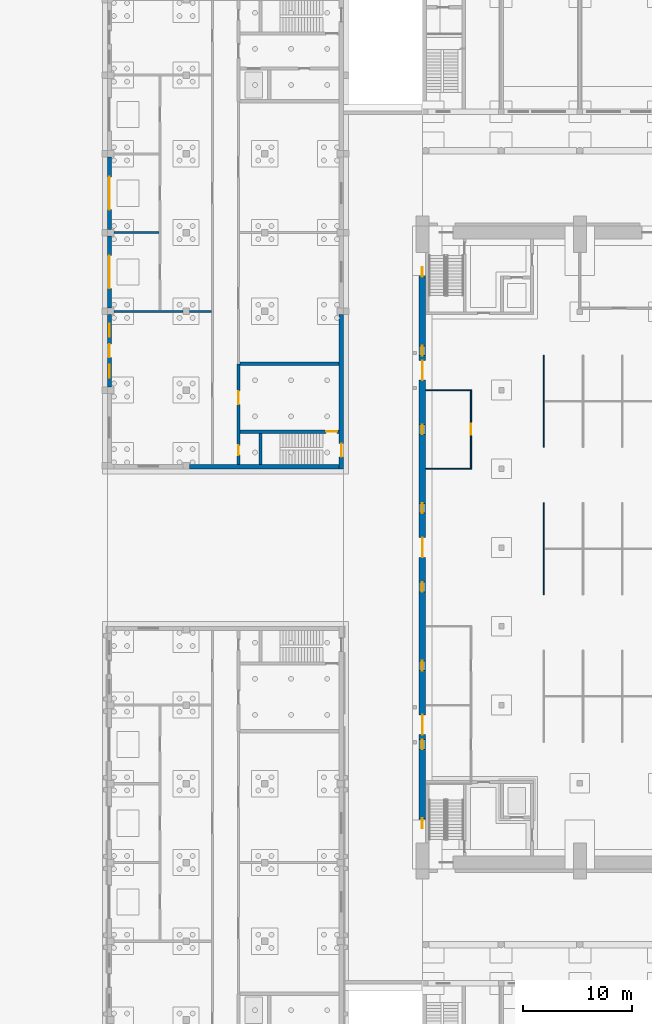
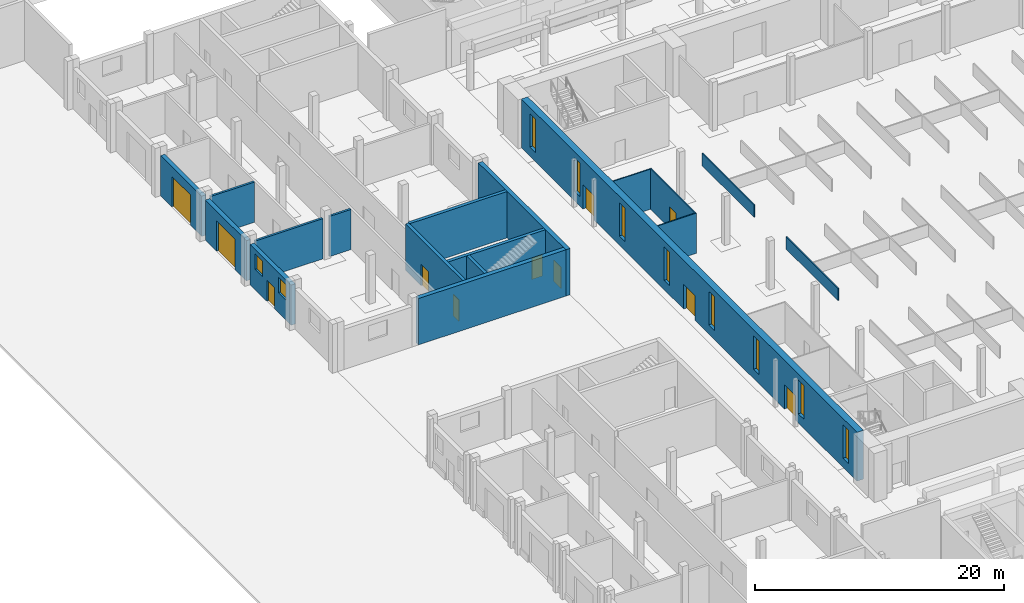
# One storey, part 38 of 73: 18 walls, 11 doors, 10 windows, 21 openings.
"""IFC4 building model written with IfcOpenShell, lengths in metres."""

import ifcopenshell
import ifcopenshell.guid

model = None  # the IFC model being written
_history = None  # IfcOwnerHistory: only IFC2X3 demands one
_inside = {}  # id of a spatial element -> (the spatial element, [elements in it])
_under = {}  # id of a project, library or spatial element -> (it, [spatial elements below it])
_declared = {}  # id of a project -> (the project, [libraries it declares])
_typed = {}  # id of a type object -> (the type object, [elements of that type])
_made_of = {}  # id of a material, layer set ... -> (it, [elements and type objects made of it])


def new_model(schema):
    """Start an empty IFC model of exactly this schema.

    Asked for "IFC4X3", IfcOpenShell would pick the latest addendum, in which some entities
    have other attributes; the version numbers below select the first issue.
    IFC2X3 requires an IfcOwnerHistory on every rooted entity: one is made here for all.
    """
    global model, _history
    if schema == "IFC4X3":
        model = ifcopenshell.file(schema_version=(4, 3, 0, 0))
    else:
        model = ifcopenshell.file(schema=schema)
    _inside.clear()
    _under.clear()
    _declared.clear()
    _typed.clear()
    _made_of.clear()
    _history = None
    if model.schema == "IFC2X3":
        org = make("IfcOrganization", Name="unknown")
        user = make(
            "IfcPersonAndOrganization",
            ThePerson=make("IfcPerson", FamilyName="unknown"),
            TheOrganization=org,
        )
        app = make(
            "IfcApplication",
            ApplicationDeveloper=org,
            Version="unknown",
            ApplicationFullName="unknown",
            ApplicationIdentifier="unknown",
        )
        _history = make(
            "IfcOwnerHistory",
            OwningUser=user,
            OwningApplication=app,
            ChangeAction="ADDED",
            CreationDate=0,
        )
    return model


def make(cls, **values):
    """One entity of the class cls with the attributes given. An attribute that is None is left unset."""
    return model.create_entity(
        cls, **{name: value for name, value in values.items() if value is not None}
    )


def rooted(cls, **values):
    """An entity with a GlobalId (a new one), such as an element, a storey or a relation."""
    return make(cls, GlobalId=ifcopenshell.guid.new(), OwnerHistory=_history, **values)


def si_unit(unit_type, name, prefix=None):
    """IfcSIUnit, for example si_unit("LENGTHUNIT", "METRE", prefix="MILLI")."""
    return make("IfcSIUnit", UnitType=unit_type, Prefix=prefix, Name=name)


def assignment(units):
    """IfcUnitAssignment: the units of a project."""
    return None if units is None else make("IfcUnitAssignment", Units=units)


def point(xyz):
    """IfcCartesianPoint."""
    return None if xyz is None else make("IfcCartesianPoint", Coordinates=xyz)


def direction(xyz):
    """IfcDirection."""
    return None if xyz is None else make("IfcDirection", DirectionRatios=xyz)


def frame(location, z_axis=None, x_axis=None):
    """IfcAxis2Placement3D, a coordinate frame: its origin and axes. An axis left out is left unset."""
    return make(
        "IfcAxis2Placement3D",
        Location=point(location),
        Axis=direction(z_axis),
        RefDirection=direction(x_axis),
    )


def frame_2d(location, x_axis=None):
    """IfcAxis2Placement2D, a coordinate frame in the plane: its origin and x axis."""
    return make(
        "IfcAxis2Placement2D", Location=point(location), RefDirection=direction(x_axis)
    )


def origin():
    """The frame at (0, 0, 0) with its axes left unset."""
    return frame((0.0, 0.0, 0.0))


def place(relative_to, where):
    """IfcLocalPlacement: puts the frame where relative to a parent placement (None: the world)."""
    return make(
        "IfcLocalPlacement", PlacementRelTo=relative_to, RelativePlacement=where
    )


def context(
    kind, dimensions, precision=None, world=None, true_north=None, identifier=None
):
    """IfcGeometricRepresentationContext, for example the 3D "Model" context."""
    return make(
        "IfcGeometricRepresentationContext",
        ContextIdentifier=identifier,
        ContextType=kind,
        CoordinateSpaceDimension=dimensions,
        Precision=precision,
        WorldCoordinateSystem=world,
        TrueNorth=true_north,
    )


def subcontext(parent, identifier, kind, view, scale=None):
    """IfcGeometricRepresentationSubContext, for example "Body" below "Model"."""
    return make(
        "IfcGeometricRepresentationSubContext",
        ContextIdentifier=identifier,
        ContextType=kind,
        ParentContext=parent,
        TargetScale=scale,
        TargetView=view,
    )


def project(units=None, contexts=None):
    """IfcProject with its units and contexts."""
    return rooted(
        "IfcProject",
        Name="project",
        RepresentationContexts=contexts,
        UnitsInContext=assignment(units),
    )


def spatial(cls, under=None, at=None, **own):
    """A site, building, storey or space (cls), placed at a placement, below another one or the project."""
    s = rooted(cls, ObjectPlacement=at, **own)
    if under is not None:
        _under.setdefault(under.id(), (under, []))[1].append(s)
    return s


def profile(cls, at=None, kind="AREA", **sizes):
    """A parametric profile (cls). Its sizes go by their IFC names, for example OverallWidth=200.0."""
    return make(cls, ProfileType=kind, Position=at, **sizes)


def rectangle(**sizes):
    """IfcRectangleProfileDef."""
    return profile("IfcRectangleProfileDef", **sizes)


def extrude(swept, where, along, depth):
    """IfcExtrudedAreaSolid: the profile swept, set in the frame where, extruded along a direction by depth."""
    return make(
        "IfcExtrudedAreaSolid",
        SweptArea=swept,
        Position=where,
        ExtrudedDirection=direction(along),
        Depth=depth,
    )


def shape(context_of_items, identifier, shape_type, items):
    """IfcShapeRepresentation: the items that make up one representation, for example the "Body"."""
    return make(
        "IfcShapeRepresentation",
        ContextOfItems=context_of_items,
        RepresentationIdentifier=identifier,
        RepresentationType=shape_type,
        Items=items,
    )


def material(Name=None, Category=None):
    """IfcMaterial."""
    return make("IfcMaterial", Name=Name, Category=Category)


def layer(
    of_material, thickness, ventilated=None, Name=None, Category=None, Priority=None
):
    """IfcMaterialLayer: one layer of a wall or slab, of a material (None: an air gap)."""
    return make(
        "IfcMaterialLayer",
        Material=of_material,
        LayerThickness=thickness,
        IsVentilated=ventilated,
        Name=Name,
        Category=Category,
        Priority=Priority,
    )


def layer_set(layers, Name=None):
    """IfcMaterialLayerSet."""
    return make("IfcMaterialLayerSet", MaterialLayers=layers, LayerSetName=Name)


def made_of(thing, what):
    """Note that an element or type object is made of a material, layer set ...; save() writes the relation."""
    if what is not None:
        _made_of.setdefault(what.id(), (what, []))[1].append(thing)
    return thing


def type_object(cls, material=None, **own):
    """A type object (cls), such as IfcWallType, which elements share."""
    return made_of(rooted(cls, **own), material)


def element(
    cls,
    number,
    at=None,
    inside=None,
    cuts=None,
    type_object=None,
    material=None,
    context=None,
    identifier="Body",
    shape_type=None,
    held_by="IfcProductDefinitionShape",
    body=None,
    shapes=None,
    **own,
):
    """One element of the class cls, such as IfcWall. Its Tag is "e" and its number.

    at: its placement. inside: the storey or other place that contains it. cuts: it is an
    opening in that element (IfcRelVoidsElement). A single representation is given by context,
    identifier, shape_type and body (its items); several are given by shapes. held_by: the class
    of the entity that holds the representations. save() writes the other relations.
    """
    e = rooted(cls, Tag="e%d" % number, ObjectPlacement=at, **own)
    if body is not None:
        shapes = [shape(context, identifier, shape_type, body)]
    if shapes is not None:
        e.Representation = make(held_by, Representations=shapes)
    if inside is not None:
        _inside.setdefault(inside.id(), (inside, []))[1].append(e)
    if cuts is not None:
        rooted(
            "IfcRelVoidsElement", RelatingBuildingElement=cuts, RelatedOpeningElement=e
        )
    if type_object is not None:
        _typed.setdefault(type_object.id(), (type_object, []))[1].append(e)
    return made_of(e, material)


def fill(opening, filler):
    """IfcRelFillsElement: the door or window that sits in an opening."""
    return rooted(
        "IfcRelFillsElement",
        RelatingOpeningElement=opening,
        RelatedBuildingElement=filler,
    )


def aggregate(whole, parts):
    """IfcRelAggregates: a whole, such as a stair, and the parts it consists of."""
    return rooted("IfcRelAggregates", RelatingObject=whole, RelatedObjects=parts)


def save(model, path):
    """Write the relations noted so far, then the file.

    IfcRelAggregates (storeys below a building ...), IfcRelContainedInSpatialStructure (elements
    in a storey), IfcRelDefinesByType, IfcRelAssociatesMaterial and IfcRelDeclares: one each for
    every whole, place, type object, material and project.
    """
    for whole, parts in _under.values():
        aggregate(whole, parts)
    for where, things in _inside.values():
        rooted(
            "IfcRelContainedInSpatialStructure",
            RelatedElements=things,
            RelatingStructure=where,
        )
    for kind, things in _typed.values():
        rooted("IfcRelDefinesByType", RelatedObjects=things, RelatingType=kind)
    for what, things in _made_of.values():
        rooted("IfcRelAssociatesMaterial", RelatedObjects=things, RelatingMaterial=what)
    for by, libraries in _declared.values():
        rooted("IfcRelDeclares", RelatingContext=by, RelatedDefinitions=libraries)
    model.write(path)


model = new_model("IFC4")

# Units and contexts
model_context = context("Model", 3, precision=1e-05, world=origin(), true_north=direction((0.0, 1.0)))
body_context = subcontext(model_context, "Body", "Model", "MODEL_VIEW")
ifc_project = project(units=[si_unit("LENGTHUNIT", "METRE"), si_unit("AREAUNIT", "SQUARE_METRE"), si_unit("VOLUMEUNIT", "CUBIC_METRE"), si_unit("PLANEANGLEUNIT", "RADIAN"), si_unit("MASSUNIT", "GRAM", prefix="KILO")], contexts=[model_context])

# Site, building, storey
site_placement = place(None, origin())
site = spatial("IfcSite", under=ifc_project, at=site_placement, CompositionType="ELEMENT")
building_placement = place(site_placement, origin())
building = spatial("IfcBuilding", under=site, at=building_placement, Name="Alderwick Market Hall", CompositionType="ELEMENT")
storey_placement = place(building_placement, origin())
storey = spatial("IfcBuildingStorey", under=building, at=storey_placement, Name="LG", CompositionType="ELEMENT", Elevation=0.0)

# Wall, openings, door, windows
ifc_material_1 = material(Name="Cast stone 5000 psi", Category="masonry")
ifc_layer_1 = layer(ifc_material_1, 0.39990234375)
ifc_layer_set_1 = layer_set([ifc_layer_1], Name="Cast stone 5000 psi")
wall_type_1 = type_object("IfcWallType", Name="B Cast Stone Base Wall 400", PredefinedType="SOLIDWALL", material=ifc_layer_set_1)
wall_1_placement = place(storey_placement, frame((21.800048828125, 93.89990234375, 0.0), z_axis=(0.0, 0.0, 1.0), x_axis=(0.0, 1.0, 0.0)))
wall_1 = element("IfcWall", 1, at=wall_1_placement, inside=storey, type_object=wall_type_1, Name="B.N.wall.LG.018", PredefinedType="SOLIDWALL", context=body_context, shape_type="SweptSolid", body=[
    extrude(rectangle(XDim=6.60009765625, YDim=0.39990234375, at=frame_2d((3.300048828125, 0.0))), origin(), (0.0, 0.0, 1.0), 3.949951171875),
])
opening_1_placement = place(wall_1_placement, frame((2.699951171875, 0.0, 0.0)))
opening_1 = element("IfcOpeningElement", 2, at=opening_1_placement, cuts=wall_1, Name="Opening B-D005", PredefinedType="OPENING", context=body_context, shape_type="SweptSolid", body=[
    extrude(rectangle(XDim=1.199951171875, YDim=2.10009765625, at=frame_2d((0.60009765625, 1.050048828125))), frame((0.0, 0.2099609375, 0.0), z_axis=(0.0, -1.0, 0.0), x_axis=(1.0, 0.0, 0.0)), (0.0, 0.0, 1.0), 0.419921875),
])
opening_2_placement = place(wall_1_placement, frame((0.824951171875, 0.0, 2.0)))
opening_2 = element("IfcOpeningElement", 3, at=opening_2_placement, cuts=wall_1, Name="Opening B-W004", PredefinedType="OPENING", context=body_context, shape_type="SweptSolid", body=[
    extrude(rectangle(XDim=1.199951171875, YDim=1.5, at=frame_2d((0.60009765625, 0.75))), frame((0.0, 0.2099609375, 0.0), z_axis=(0.0, -1.0, 0.0), x_axis=(1.0, 0.0, 0.0)), (0.0, 0.0, 1.0), 0.419921875),
])
opening_3_placement = place(wall_1_placement, frame((4.574951171875, 0.0, 2.0)))
opening_3 = element("IfcOpeningElement", 4, at=opening_3_placement, cuts=wall_1, Name="Opening B-W005", PredefinedType="OPENING", context=body_context, shape_type="SweptSolid", body=[
    extrude(rectangle(XDim=1.199951171875, YDim=1.5, at=frame_2d((0.60009765625, 0.75))), frame((0.0, 0.2099609375, 0.0), z_axis=(0.0, -1.0, 0.0), x_axis=(1.0, 0.0, 0.0)), (0.0, 0.0, 1.0), 0.419921875),
])
ifc_material_2 = material(Name="Hollow metal door and frame")
door_type_1 = type_object("IfcDoorType", Name="B Door 1200x2100", OperationType="SINGLE_SWING_LEFT", PredefinedType="DOOR", material=ifc_material_2)
door_1_placement = place(opening_1_placement, origin())
door_1 = element("IfcDoor", 5, at=door_1_placement, inside=storey, type_object=door_type_1, Name="Plant room door", OperationType="SINGLE_SWING_LEFT", OverallHeight=2.10009765625, OverallWidth=1.199951171875, PredefinedType="DOOR", context=body_context, shape_type="SweptSolid", body=[
    extrude(rectangle(XDim=1.199951171875, YDim=2.10009765625, at=frame_2d((0.60009765625, 1.050048828125))), frame((0.0, 0.02490234375, 0.0), z_axis=(0.0, -1.0, 0.0), x_axis=(1.0, 0.0, 0.0)), (0.0, 0.0, 1.0), 0.050048828125),
])
fill(opening_1, door_1)
ifc_material_3 = material(Name="Aluminium frame", Category="aluminium")
window_type_1 = type_object("IfcWindowType", Name="B Window 1200x1500", PartitioningType="SINGLE_PANEL", PredefinedType="WINDOW", material=ifc_material_3)
window_1_placement = place(opening_2_placement, origin())
window_1 = element("IfcWindow", 6, at=window_1_placement, inside=storey, type_object=window_type_1, Name="Window B-W004", OverallHeight=1.5, OverallWidth=1.199951171875, PartitioningType="SINGLE_PANEL", PredefinedType="WINDOW", context=body_context, shape_type="SweptSolid", body=[
    extrude(rectangle(XDim=1.199951171875, YDim=1.5, at=frame_2d((0.60009765625, 0.75))), frame((0.0, 0.030029296875, 0.0), z_axis=(0.0, -1.0, 0.0), x_axis=(1.0, 0.0, 0.0)), (0.0, 0.0, 1.0), 0.06005859375),
])
fill(opening_2, window_1)
window_2_placement = place(opening_3_placement, origin())
window_2 = element("IfcWindow", 7, at=window_2_placement, inside=storey, type_object=window_type_1, Name="Window B-W005", OverallHeight=1.5, OverallWidth=1.199951171875, PartitioningType="SINGLE_PANEL", PredefinedType="WINDOW", context=body_context, shape_type="SweptSolid", body=[
    extrude(rectangle(XDim=1.199951171875, YDim=1.5, at=frame_2d((0.60009765625, 0.75))), frame((0.0, 0.030029296875, 0.0), z_axis=(0.0, -1.0, 0.0), x_axis=(1.0, 0.0, 0.0)), (0.0, 0.0, 1.0), 0.06005859375),
])
fill(opening_3, window_2)

# Wall, opening, door
wall_2_placement = place(storey_placement, frame((21.800048828125, 101.10009765625, 0.0), z_axis=(0.0, 0.0, 1.0), x_axis=(0.0, 1.0, 0.0)))
wall_2 = element("IfcWall", 8, at=wall_2_placement, inside=storey, type_object=wall_type_1, Name="B.N.wall.LG.019", PredefinedType="SOLIDWALL", context=body_context, shape_type="SweptSolid", body=[
    extrude(rectangle(XDim=6.599853515625, YDim=0.39990234375, at=frame_2d((3.2998046875, 0.0))), origin(), (0.0, 0.0, 1.0), 3.949951171875),
])
opening_4_placement = place(wall_2_placement, frame((1.800048828125, 0.0, 0.0)))
opening_4 = element("IfcOpeningElement", 9, at=opening_4_placement, cuts=wall_2, Name="Opening B-D004", PredefinedType="OPENING", context=body_context, shape_type="SweptSolid", body=[
    extrude(rectangle(XDim=3.0, YDim=3.0, at=frame_2d((1.5, 1.5))), frame((0.0, 0.2099609375, 0.0), z_axis=(0.0, -1.0, 0.0), x_axis=(1.0, 0.0, 0.0)), (0.0, 0.0, 1.0), 0.419921875),
])
ifc_material_4 = material(Name="Insulated steel sectional door", Category="steel")
door_type_2 = type_object("IfcDoorType", Name="B Sectional Dock Door 3000x3000", OperationType="ROLLINGUP", PredefinedType="DOOR", material=ifc_material_4)
door_2_placement = place(opening_4_placement, origin())
door_2 = element("IfcDoor", 10, at=door_2_placement, inside=storey, type_object=door_type_2, Name="Loading dock door", OperationType="ROLLINGUP", OverallHeight=3.0, OverallWidth=3.0, PredefinedType="DOOR", context=body_context, shape_type="SweptSolid", body=[
    extrude(rectangle(XDim=3.0, YDim=3.0, at=frame_2d((1.5, 1.5))), frame((0.0, 0.02490234375, 0.0), z_axis=(0.0, -1.0, 0.0), x_axis=(1.0, 0.0, 0.0)), (0.0, 0.0, 1.0), 0.050048828125),
])
fill(opening_4, door_2)

wall_3_placement = place(storey_placement, frame((21.800048828125, 108.300048828125, 0.0), z_axis=(0.0, 0.0, 1.0), x_axis=(0.0, 1.0, 0.0)))
wall_3 = element("IfcWall", 11, at=wall_3_placement, inside=storey, type_object=wall_type_1, Name="B.N.wall.LG.020", PredefinedType="SOLIDWALL", context=body_context, shape_type="SweptSolid", body=[
    extrude(rectangle(XDim=6.599853515625, YDim=0.39990234375, at=frame_2d((3.2998046875, 0.0))), origin(), (0.0, 0.0, 1.0), 3.949951171875),
])
opening_5_placement = place(wall_3_placement, frame((1.800048828125, 0.0, 0.0)))
opening_5 = element("IfcOpeningElement", 12, at=opening_5_placement, cuts=wall_3, Name="Opening B-D003", PredefinedType="OPENING", context=body_context, shape_type="SweptSolid", body=[
    extrude(rectangle(XDim=3.0, YDim=3.0, at=frame_2d((1.5, 1.5))), frame((0.0, 0.2099609375, 0.0), z_axis=(0.0, -1.0, 0.0), x_axis=(1.0, 0.0, 0.0)), (0.0, 0.0, 1.0), 0.419921875),
])
door_3_placement = place(opening_5_placement, origin())
door_3 = element("IfcDoor", 13, at=door_3_placement, inside=storey, type_object=door_type_2, Name="Loading dock door", OperationType="ROLLINGUP", OverallHeight=3.0, OverallWidth=3.0, PredefinedType="DOOR", context=body_context, shape_type="SweptSolid", body=[
    extrude(rectangle(XDim=3.0, YDim=3.0, at=frame_2d((1.5, 1.5))), frame((0.0, 0.02490234375, 0.0), z_axis=(0.0, -1.0, 0.0), x_axis=(1.0, 0.0, 0.0)), (0.0, 0.0, 1.0), 0.050048828125),
])
fill(opening_5, door_3)

# Walls
ifc_material_5 = material(Name="Concrete masonry 3000 psi", Category="masonry")
ifc_layer_2 = layer(ifc_material_5, 0.199951171875)
ifc_layer_set_2 = layer_set([ifc_layer_2], Name="Concrete masonry 3000 psi")
wall_type_2 = type_object("IfcWallType", Name="B Masonry Partition 200", PredefinedType="PARTITIONING", material=ifc_layer_set_2)
wall_4_placement = place(storey_placement, frame((22.199951171875, 100.800048828125, 0.0), z_axis=(0.0, 0.0, 1.0), x_axis=(1.0, 0.0, 0.0)))
element("IfcWall", 14, at=wall_4_placement, inside=storey, type_object=wall_type_2, Name="B.N.wall.LG.004", PredefinedType="PARTITIONING", context=body_context, shape_type="SweptSolid", body=[
    extrude(rectangle(XDim=6.300048828125, YDim=0.199951171875, at=frame_2d((3.14990234375, 0.0))), origin(), (0.0, 0.0, 1.0), 3.949951171875),
])
wall_5_placement = place(storey_placement, frame((29.10009765625, 100.800048828125, 0.0), z_axis=(0.0, 0.0, 1.0), x_axis=(1.0, 0.0, 0.0)))
element("IfcWall", 15, at=wall_5_placement, inside=storey, type_object=wall_type_2, Name="B.N.wall.LG.005", PredefinedType="PARTITIONING", context=body_context, shape_type="SweptSolid", body=[
    extrude(rectangle(XDim=2.0, YDim=0.199951171875, at=frame_2d((1.0, 0.0))), origin(), (0.0, 0.0, 1.0), 3.949951171875),
])
wall_6_placement = place(storey_placement, frame((22.199951171875, 108.0, 0.0), z_axis=(0.0, 0.0, 1.0), x_axis=(1.0, 0.0, 0.0)))
element("IfcWall", 16, at=wall_6_placement, inside=storey, type_object=wall_type_2, Name="B.N.wall.LG.006", PredefinedType="PARTITIONING", context=body_context, shape_type="SweptSolid", body=[
    extrude(rectangle(XDim=4.10009765625, YDim=0.199951171875, at=frame_2d((2.050048828125, 0.0))), origin(), (0.0, 0.0, 1.0), 3.949951171875),
])
ifc_material_6 = material(Name="Concrete 5000 psi (f'c 35 MPa)", Category="concrete")
ifc_layer_3 = layer(ifc_material_6, 0.39990234375)
ifc_layer_set_3 = layer_set([ifc_layer_3], Name="Concrete 5000 psi (f'c 35 MPa)")
wall_type_3 = type_object("IfcWallType", Name="B RC Core Facade Wall 400", PredefinedType="SHEAR", material=ifc_layer_set_3)
wall_7_placement = place(storey_placement, frame((29.10009765625, 86.60009765625, 0.0), z_axis=(0.0, 0.0, 1.0), x_axis=(1.0, 0.0, 0.0)))
element("IfcWall", 17, at=wall_7_placement, inside=storey, type_object=wall_type_3, Name="B.N.wall.LG.001", PredefinedType="SHEAR", context=body_context, shape_type="SweptSolid", body=[
    extrude(rectangle(XDim=13.699951171875, YDim=0.39990234375, at=frame_2d((6.85009765625, 0.0))), origin(), (0.0, 0.0, 1.0), 4.550048828125),
])

# Wall, opening, door
wall_8_placement = place(storey_placement, frame((43.0, 86.39990234375, 0.0), z_axis=(0.0, 0.0, 1.0), x_axis=(0.0, 1.0, 0.0)))
wall_8 = element("IfcWall", 18, at=wall_8_placement, inside=storey, type_object=wall_type_3, Name="B.N.wall.LG.031", PredefinedType="SHEAR", context=body_context, shape_type="SweptSolid", body=[
    extrude(rectangle(XDim=14.10009765625, YDim=0.39990234375, at=frame_2d((7.050048828125, 0.0))), origin(), (0.0, 0.0, 1.0), 4.550048828125),
])
opening_6_placement = place(wall_8_placement, frame((2.300048828125, 0.0, 0.0), z_axis=(0.0, 0.0, 1.0), x_axis=(-1.0, 0.0, 0.0)))
opening_6 = element("IfcOpeningElement", 19, at=opening_6_placement, cuts=wall_8, Name="Opening B-D007", PredefinedType="OPENING", context=body_context, shape_type="SweptSolid", body=[
    extrude(rectangle(XDim=1.199951171875, YDim=2.10009765625, at=frame_2d((0.60009765625, 1.050048828125))), frame((0.0, 0.2099609375, 0.0), z_axis=(0.0, -1.0, 0.0), x_axis=(1.0, 0.0, 0.0)), (0.0, 0.0, 1.0), 0.419921875),
])
ifc_material_7 = material(Name="Hollow metal fire door and frame")
door_type_3 = type_object("IfcDoorType", Name="B Fire Door 1200x2100", OperationType="SINGLE_SWING_LEFT", PredefinedType="DOOR", material=ifc_material_7)
door_4_placement = place(opening_6_placement, origin())
door_4 = element("IfcDoor", 20, at=door_4_placement, inside=storey, type_object=door_type_3, Name="Stair N-2 exit door", OperationType="SINGLE_SWING_LEFT", OverallHeight=2.10009765625, OverallWidth=1.199951171875, PredefinedType="DOOR", context=body_context, shape_type="SweptSolid", body=[
    extrude(rectangle(XDim=1.199951171875, YDim=2.10009765625, at=frame_2d((0.60009765625, 1.050048828125))), frame((0.0, 0.02490234375, 0.0), z_axis=(0.0, -1.0, 0.0), x_axis=(1.0, 0.0, 0.0)), (0.0, 0.0, 1.0), 0.050048828125),
])
fill(opening_6, door_4)

ifc_layer_4 = layer(ifc_material_6, 0.300048828125)
ifc_layer_set_4 = layer_set([ifc_layer_4], Name="Concrete 5000 psi (f'c 35 MPa)")
wall_type_4 = type_object("IfcWallType", Name="B RC Core Wall 300", PredefinedType="SHEAR", material=ifc_layer_set_4)
wall_9_placement = place(storey_placement, frame((33.75, 89.800048828125, 0.0), z_axis=(0.0, 0.0, 1.0), x_axis=(1.0, 0.0, 0.0)))
wall_9 = element("IfcWall", 21, at=wall_9_placement, inside=storey, type_object=wall_type_4, Name="B.N.wall.LG.002", PredefinedType="SHEAR", context=body_context, shape_type="SweptSolid", body=[
    extrude(rectangle(XDim=9.050048828125, YDim=0.300048828125, at=frame_2d((4.52490234375, 0.0))), origin(), (0.0, 0.0, 1.0), 4.550048828125),
])
opening_7_placement = place(wall_9_placement, frame((7.85009765625, 0.0, 0.0)))
opening_7 = element("IfcOpeningElement", 22, at=opening_7_placement, cuts=wall_9, Name="Opening B-D032", PredefinedType="OPENING", context=body_context, shape_type="SweptSolid", body=[
    extrude(rectangle(XDim=1.0, YDim=2.10009765625, at=frame_2d((0.5, 1.050048828125))), frame((0.0, 0.159912109375, 0.0), z_axis=(0.0, -1.0, 0.0), x_axis=(1.0, 0.0, 0.0)), (0.0, 0.0, 1.0), 0.320068359375),
])
door_type_4 = type_object("IfcDoorType", Name="B Fire Door 1000x2100", OperationType="SINGLE_SWING_LEFT", PredefinedType="DOOR", material=ifc_material_7)
door_5_placement = place(opening_7_placement, origin())
door_5 = element("IfcDoor", 23, at=door_5_placement, inside=storey, type_object=door_type_4, Name="Stair N-2 lobby door", OperationType="SINGLE_SWING_RIGHT", OverallHeight=2.10009765625, OverallWidth=1.0, PredefinedType="DOOR", context=body_context, shape_type="SweptSolid", body=[
    extrude(rectangle(XDim=1.0, YDim=2.10009765625, at=frame_2d((0.5, 1.050048828125))), frame((0.0, 0.02490234375, 0.0), z_axis=(0.0, -1.0, 0.0), x_axis=(1.0, 0.0, 0.0)), (0.0, 0.0, 1.0), 0.050048828125),
])
fill(opening_7, door_5)

# Wall
wall_10_placement = place(storey_placement, frame((33.75, 96.0, 0.0), z_axis=(0.0, 0.0, 1.0), x_axis=(1.0, 0.0, 0.0)))
element("IfcWall", 24, at=wall_10_placement, inside=storey, type_object=wall_type_4, Name="B.N.wall.LG.003", PredefinedType="SHEAR", context=body_context, shape_type="SweptSolid", body=[
    extrude(rectangle(XDim=9.050048828125, YDim=0.300048828125, at=frame_2d((4.52490234375, 0.0))), origin(), (0.0, 0.0, 1.0), 4.550048828125),
])

# Wall, openings, doors
wall_11_placement = place(storey_placement, frame((33.60009765625, 86.800048828125, 0.0), z_axis=(0.0, 0.0, 1.0), x_axis=(0.0, 1.0, 0.0)))
wall_11 = element("IfcWall", 25, at=wall_11_placement, inside=storey, type_object=wall_type_4, Name="B.N.wall.LG.025", PredefinedType="SHEAR", context=body_context, shape_type="SweptSolid", body=[
    extrude(rectangle(XDim=9.199951171875, YDim=0.300048828125, at=frame_2d((4.60009765625, 0.0))), origin(), (0.0, 0.0, 1.0), 4.550048828125),
])
opening_8_placement = place(wall_11_placement, frame((5.5, 0.0, 0.0)))
opening_8 = element("IfcOpeningElement", 26, at=opening_8_placement, cuts=wall_11, Name="Opening B-D033", PredefinedType="OPENING", context=body_context, shape_type="SweptSolid", body=[
    extrude(rectangle(XDim=1.199951171875, YDim=2.10009765625, at=frame_2d((0.60009765625, 1.050048828125))), frame((0.0, 0.159912109375, 0.0), z_axis=(0.0, -1.0, 0.0), x_axis=(1.0, 0.0, 0.0)), (0.0, 0.0, 1.0), 0.320068359375),
])
opening_9_placement = place(wall_11_placement, frame((0.85009765625, 0.0, 0.0)))
opening_9 = element("IfcOpeningElement", 27, at=opening_9_placement, cuts=wall_11, Name="Opening B-D034", PredefinedType="OPENING", context=body_context, shape_type="SweptSolid", body=[
    extrude(rectangle(XDim=0.89990234375, YDim=2.10009765625, at=frame_2d((0.449951171875, 1.050048828125))), frame((0.0, 0.159912109375, 0.0), z_axis=(0.0, -1.0, 0.0), x_axis=(1.0, 0.0, 0.0)), (0.0, 0.0, 1.0), 0.320068359375),
])
door_6_placement = place(opening_8_placement, origin())
door_6 = element("IfcDoor", 28, at=door_6_placement, inside=storey, type_object=door_type_3, Name="Lobby N-2 corridor door", OperationType="SINGLE_SWING_LEFT", OverallHeight=2.10009765625, OverallWidth=1.199951171875, PredefinedType="DOOR", context=body_context, shape_type="SweptSolid", body=[
    extrude(rectangle(XDim=1.199951171875, YDim=2.10009765625, at=frame_2d((0.60009765625, 1.050048828125))), frame((0.0, 0.02490234375, 0.0), z_axis=(0.0, -1.0, 0.0), x_axis=(1.0, 0.0, 0.0)), (0.0, 0.0, 1.0), 0.050048828125),
])
fill(opening_8, door_6)
door_type_5 = type_object("IfcDoorType", Name="B Fire Door 900x2100", OperationType="SINGLE_SWING_LEFT", PredefinedType="DOOR", material=ifc_material_7)
door_7_placement = place(opening_9_placement, origin())
door_7 = element("IfcDoor", 29, at=door_7_placement, inside=storey, type_object=door_type_5, Name="Riser N-2 access door", OperationType="SINGLE_SWING_RIGHT", OverallHeight=2.10009765625, OverallWidth=0.89990234375, PredefinedType="DOOR", context=body_context, shape_type="SweptSolid", body=[
    extrude(rectangle(XDim=0.89990234375, YDim=2.10009765625, at=frame_2d((0.449951171875, 1.050048828125))), frame((0.0, 0.02490234375, 0.0), z_axis=(0.0, -1.0, 0.0), x_axis=(1.0, 0.0, 0.0)), (0.0, 0.0, 1.0), 0.050048828125),
])
fill(opening_9, door_7)

# Walls
wall_12_placement = place(storey_placement, frame((35.60009765625, 86.800048828125, 0.0), z_axis=(0.0, 0.0, 1.0), x_axis=(0.0, 1.0, 0.0)))
element("IfcWall", 30, at=wall_12_placement, inside=storey, type_object=wall_type_4, Name="B.N.wall.LG.028", PredefinedType="SHEAR", context=body_context, shape_type="SweptSolid", body=[
    extrude(rectangle(XDim=2.849853515625, YDim=0.300048828125, at=frame_2d((1.4248046875, 0.0))), origin(), (0.0, 0.0, 1.0), 4.550048828125),
])
ifc_material_8 = material(Name="Gypsum board partition")
ifc_layer_5 = layer(ifc_material_8, 0.10009765625)
ifc_layer_set_5 = layer_set([ifc_layer_5], Name="Gypsum board partition")
wall_type_5 = type_object("IfcWallType", Name="H Partition 100", PredefinedType="PARTITIONING", material=ifc_layer_set_5)
for number, where, z_axis, x_axis, name in (
    (31, (50.699951171875, 86.39990234375, 0.0), (0.0, 0.0, 1.0), (1.0, 0.0, 0.0), "Partition"),
    (32, (50.699951171875, 93.60009765625, 0.0), (0.0, 0.0, 1.0), (1.0, 0.0, 0.0), "Partition"),
):
    element("IfcWall", number, at=place(storey_placement, frame(where, z_axis=z_axis, x_axis=x_axis)), inside=storey, type_object=wall_type_5, Name=name, PredefinedType="PARTITIONING", context=body_context, shape_type="SweptSolid", body=[
        extrude(rectangle(XDim=4.199951171875, YDim=0.10009765625, at=frame_2d((2.10009765625, 0.0))), origin(), (0.0, 0.0, 1.0), 3.949951171875),
    ])

# Wall, opening, door
wall_13_placement = place(storey_placement, frame((54.85009765625, 86.449951171875, 0.0), z_axis=(0.0, 0.0, 1.0), x_axis=(0.0, 1.0, 0.0)))
wall_13 = element("IfcWall", 33, at=wall_13_placement, inside=storey, type_object=wall_type_5, Name="Partition", PredefinedType="PARTITIONING", context=body_context, shape_type="SweptSolid", body=[
    extrude(rectangle(XDim=7.10009765625, YDim=0.10009765625, at=frame_2d((3.550048828125, 0.0))), origin(), (0.0, 0.0, 1.0), 3.949951171875),
])
opening_10_placement = place(wall_13_placement, frame((3.050048828125, 0.0, 0.0)))
opening_10 = element("IfcOpeningElement", 34, at=opening_10_placement, cuts=wall_13, Name="Opening H-D059", PredefinedType="OPENING", context=body_context, shape_type="SweptSolid", body=[
    extrude(rectangle(XDim=1.0, YDim=2.10009765625, at=frame_2d((0.5, 1.050048828125))), frame((0.0, 0.06005859375, 0.0), z_axis=(0.0, -1.0, 0.0), x_axis=(1.0, 0.0, 0.0)), (0.0, 0.0, 1.0), 0.1201171875),
])
ifc_material_9 = material(Name="Timber, solid core", Category="wood")
door_type_6 = type_object("IfcDoorType", Name="H Accessible WC door 1000x2100", OperationType="SINGLE_SWING_LEFT", PredefinedType="DOOR", material=ifc_material_9)
door_8_placement = place(opening_10_placement, origin())
door_8 = element("IfcDoor", 35, at=door_8_placement, inside=storey, type_object=door_type_6, Name="Door H-D059", OperationType="SINGLE_SWING_LEFT", OverallHeight=2.10009765625, OverallWidth=1.0, PredefinedType="DOOR", context=body_context, shape_type="SweptSolid", body=[
    extrude(rectangle(XDim=1.0, YDim=2.10009765625, at=frame_2d((0.5, 1.050048828125))), frame((0.0, 0.02490234375, 0.0), z_axis=(0.0, -1.0, 0.0), x_axis=(1.0, 0.0, 0.0)), (0.0, 0.0, 1.0), 0.050048828125),
])
fill(opening_10, door_8)

# Walls
ifc_material_10 = material(Name="Face brick", Category="masonry")
ifc_layer_6 = layer(ifc_material_10, 0.10009765625)
ifc_layer_set_6 = layer_set([ifc_layer_6], Name="Face brick")
wall_type_6 = type_object("IfcWallType", Name="H Stall counter 100", PredefinedType="PARTITIONING", material=ifc_layer_set_6)
for number, where, z_axis, x_axis, name in (
    (36, (61.489990234375, 74.889892578125, 0.0), (0.0, 0.0, 1.0), (0.0, 1.0, 0.0), "Stall counter"),
    (37, (61.489990234375, 88.389892578125, 0.0), (0.0, 0.0, 1.0), (0.0, 1.0, 0.0), "Stall counter"),
):
    element("IfcWall", number, at=place(storey_placement, frame(where, z_axis=z_axis, x_axis=x_axis)), inside=storey, type_object=wall_type_6, Name=name, PredefinedType="PARTITIONING", context=body_context, shape_type="SweptSolid", body=[
        extrude(rectangle(XDim=8.400146484375, YDim=0.10009765625, at=frame_2d((4.2001953125, 0.0))), origin(), (0.0, 0.0, 1.0), 1.199951171875),
    ])

# Wall, openings, doors, windows
ifc_layer_7 = layer(ifc_material_6, 0.60009765625)
ifc_layer_set_7 = layer_set([ifc_layer_7], Name="Concrete 5000 psi (f'c 35 MPa)")
wall_type_7 = type_object("IfcWallType", Name="R Gable Wall 600", PredefinedType="SOLIDWALL", material=ifc_layer_set_7)
wall_14_placement = place(storey_placement, frame((50.39990234375, 52.199951171875, 0.0), z_axis=(0.0, 0.0, 1.0), x_axis=(0.0, 1.0, 0.0)))
wall_14 = element("IfcWall", 38, at=wall_14_placement, inside=storey, type_object=wall_type_7, Name="West gable wall LG", PredefinedType="SOLIDWALL", context=body_context, shape_type="SweptSolid", body=[
    extrude(rectangle(XDim=54.0, YDim=0.60009765625, at=frame_2d((27.0, 0.0))), origin(), (0.0, 0.0, 1.0), 4.800048828125),
])
opening_11_placement = place(wall_14_placement, frame((1.35009765625, 0.0, 0.89990234375)))
opening_11 = element("IfcOpeningElement", 39, at=opening_11_placement, cuts=wall_14, Name="Opening R-W001", PredefinedType="OPENING", context=body_context, shape_type="SweptSolid", body=[
    extrude(rectangle(XDim=0.89990234375, YDim=3.300048828125, at=frame_2d((0.449951171875, 1.64990234375))), frame((0.0, 0.31005859375, 0.0), z_axis=(0.0, -1.0, 0.0), x_axis=(1.0, 0.0, 0.0)), (0.0, 0.0, 1.0), 0.6201171875),
])
opening_12_placement = place(wall_14_placement, frame((8.550048828125, 0.0, 0.89990234375)))
opening_12 = element("IfcOpeningElement", 40, at=opening_12_placement, cuts=wall_14, Name="Opening R-W002", PredefinedType="OPENING", context=body_context, shape_type="SweptSolid", body=[
    extrude(rectangle(XDim=0.89990234375, YDim=3.300048828125, at=frame_2d((0.449951171875, 1.64990234375))), frame((0.0, 0.31005859375, 0.0), z_axis=(0.0, -1.0, 0.0), x_axis=(1.0, 0.0, 0.0)), (0.0, 0.0, 1.0), 0.6201171875),
])
opening_13_placement = place(wall_14_placement, frame((15.75, 0.0, 0.89990234375)))
opening_13 = element("IfcOpeningElement", 41, at=opening_13_placement, cuts=wall_14, Name="Opening R-W003", PredefinedType="OPENING", context=body_context, shape_type="SweptSolid", body=[
    extrude(rectangle(XDim=0.89990234375, YDim=3.300048828125, at=frame_2d((0.449951171875, 1.64990234375))), frame((0.0, 0.31005859375, 0.0), z_axis=(0.0, -1.0, 0.0), x_axis=(1.0, 0.0, 0.0)), (0.0, 0.0, 1.0), 0.6201171875),
])
opening_14_placement = place(wall_14_placement, frame((22.949951171875, 0.0, 0.89990234375)))
opening_14 = element("IfcOpeningElement", 42, at=opening_14_placement, cuts=wall_14, Name="Opening R-W004", PredefinedType="OPENING", context=body_context, shape_type="SweptSolid", body=[
    extrude(rectangle(XDim=0.89990234375, YDim=3.300048828125, at=frame_2d((0.449951171875, 1.64990234375))), frame((0.0, 0.31005859375, 0.0), z_axis=(0.0, -1.0, 0.0), x_axis=(1.0, 0.0, 0.0)), (0.0, 0.0, 1.0), 0.6201171875),
])
opening_15_placement = place(wall_14_placement, frame((30.14990234375, 0.0, 0.89990234375)))
opening_15 = element("IfcOpeningElement", 43, at=opening_15_placement, cuts=wall_14, Name="Opening R-W005", PredefinedType="OPENING", context=body_context, shape_type="SweptSolid", body=[
    extrude(rectangle(XDim=0.89990234375, YDim=3.300048828125, at=frame_2d((0.449951171875, 1.64990234375))), frame((0.0, 0.31005859375, 0.0), z_axis=(0.0, -1.0, 0.0), x_axis=(1.0, 0.0, 0.0)), (0.0, 0.0, 1.0), 0.6201171875),
])
opening_16_placement = place(wall_14_placement, frame((37.35009765625, 0.0, 0.89990234375)))
opening_16 = element("IfcOpeningElement", 44, at=opening_16_placement, cuts=wall_14, Name="Opening R-W006", PredefinedType="OPENING", context=body_context, shape_type="SweptSolid", body=[
    extrude(rectangle(XDim=0.89990234375, YDim=3.300048828125, at=frame_2d((0.449951171875, 1.64990234375))), frame((0.0, 0.31005859375, 0.0), z_axis=(0.0, -1.0, 0.0), x_axis=(1.0, 0.0, 0.0)), (0.0, 0.0, 1.0), 0.6201171875),
])
opening_17_placement = place(wall_14_placement, frame((44.550048828125, 0.0, 0.89990234375)))
opening_17 = element("IfcOpeningElement", 45, at=opening_17_placement, cuts=wall_14, Name="Opening R-W007", PredefinedType="OPENING", context=body_context, shape_type="SweptSolid", body=[
    extrude(rectangle(XDim=0.89990234375, YDim=3.300048828125, at=frame_2d((0.449951171875, 1.64990234375))), frame((0.0, 0.31005859375, 0.0), z_axis=(0.0, -1.0, 0.0), x_axis=(1.0, 0.0, 0.0)), (0.0, 0.0, 1.0), 0.6201171875),
])
opening_18_placement = place(wall_14_placement, frame((51.75, 0.0, 0.89990234375)))
opening_18 = element("IfcOpeningElement", 46, at=opening_18_placement, cuts=wall_14, Name="Opening R-W008", PredefinedType="OPENING", context=body_context, shape_type="SweptSolid", body=[
    extrude(rectangle(XDim=0.89990234375, YDim=3.300048828125, at=frame_2d((0.449951171875, 1.64990234375))), frame((0.0, 0.31005859375, 0.0), z_axis=(0.0, -1.0, 0.0), x_axis=(1.0, 0.0, 0.0)), (0.0, 0.0, 1.0), 0.6201171875),
])
opening_19_placement = place(wall_14_placement, frame((9.89990234375, 0.0, 0.0)))
opening_19 = element("IfcOpeningElement", 47, at=opening_19_placement, cuts=wall_14, Name="Opening R-D001", PredefinedType="OPENING", context=body_context, shape_type="SweptSolid", body=[
    extrude(rectangle(XDim=1.800048828125, YDim=2.39990234375, at=frame_2d((0.89990234375, 1.199951171875))), frame((0.0, 0.31005859375, 0.0), z_axis=(0.0, -1.0, 0.0), x_axis=(1.0, 0.0, 0.0)), (0.0, 0.0, 1.0), 0.6201171875),
])
opening_20_placement = place(wall_14_placement, frame((26.10009765625, 0.0, 0.0)))
opening_20 = element("IfcOpeningElement", 48, at=opening_20_placement, cuts=wall_14, Name="Opening R-D002", PredefinedType="OPENING", context=body_context, shape_type="SweptSolid", body=[
    extrude(rectangle(XDim=1.800048828125, YDim=2.39990234375, at=frame_2d((0.89990234375, 1.199951171875))), frame((0.0, 0.31005859375, 0.0), z_axis=(0.0, -1.0, 0.0), x_axis=(1.0, 0.0, 0.0)), (0.0, 0.0, 1.0), 0.6201171875),
])
opening_21_placement = place(wall_14_placement, frame((42.300048828125, 0.0, 0.0)))
opening_21 = element("IfcOpeningElement", 49, at=opening_21_placement, cuts=wall_14, Name="Opening R-D003", PredefinedType="OPENING", context=body_context, shape_type="SweptSolid", body=[
    extrude(rectangle(XDim=1.800048828125, YDim=2.39990234375, at=frame_2d((0.89990234375, 1.199951171875))), frame((0.0, 0.31005859375, 0.0), z_axis=(0.0, -1.0, 0.0), x_axis=(1.0, 0.0, 0.0)), (0.0, 0.0, 1.0), 0.6201171875),
])
ifc_material_11 = material(Name="Steel", Category="steel")
door_type_7 = type_object("IfcDoorType", Name="R Exit Door Pair 1800x2400", OperationType="DOUBLE_DOOR_SINGLE_SWING", PredefinedType="DOOR", material=ifc_material_11)
door_9_placement = place(opening_19_placement, origin())
door_9 = element("IfcDoor", 50, at=door_9_placement, inside=storey, type_object=door_type_7, Name="Door R-D001", OperationType="DOUBLE_DOOR_SINGLE_SWING", OverallHeight=2.39990234375, OverallWidth=1.800048828125, PredefinedType="DOOR", context=body_context, shape_type="SweptSolid", body=[
    extrude(rectangle(XDim=1.800048828125, YDim=2.39990234375, at=frame_2d((0.89990234375, 1.199951171875))), frame((0.0, 0.02490234375, 0.0), z_axis=(0.0, -1.0, 0.0), x_axis=(1.0, 0.0, 0.0)), (0.0, 0.0, 1.0), 0.050048828125),
])
fill(opening_19, door_9)
door_10_placement = place(opening_20_placement, origin())
door_10 = element("IfcDoor", 51, at=door_10_placement, inside=storey, type_object=door_type_7, Name="Door R-D002", OperationType="DOUBLE_DOOR_SINGLE_SWING", OverallHeight=2.39990234375, OverallWidth=1.800048828125, PredefinedType="DOOR", context=body_context, shape_type="SweptSolid", body=[
    extrude(rectangle(XDim=1.800048828125, YDim=2.39990234375, at=frame_2d((0.89990234375, 1.199951171875))), frame((0.0, 0.02490234375, 0.0), z_axis=(0.0, -1.0, 0.0), x_axis=(1.0, 0.0, 0.0)), (0.0, 0.0, 1.0), 0.050048828125),
])
fill(opening_20, door_10)
door_11_placement = place(opening_21_placement, origin())
door_11 = element("IfcDoor", 52, at=door_11_placement, inside=storey, type_object=door_type_7, Name="Door R-D003", OperationType="DOUBLE_DOOR_SINGLE_SWING", OverallHeight=2.39990234375, OverallWidth=1.800048828125, PredefinedType="DOOR", context=body_context, shape_type="SweptSolid", body=[
    extrude(rectangle(XDim=1.800048828125, YDim=2.39990234375, at=frame_2d((0.89990234375, 1.199951171875))), frame((0.0, 0.02490234375, 0.0), z_axis=(0.0, -1.0, 0.0), x_axis=(1.0, 0.0, 0.0)), (0.0, 0.0, 1.0), 0.050048828125),
])
fill(opening_21, door_11)
ifc_material_12 = material(Name="Aluminium", Category="aluminium")
window_type_2 = type_object("IfcWindowType", Name="R Gable Window 900x3300", PartitioningType="SINGLE_PANEL", PredefinedType="WINDOW", material=ifc_material_12)
window_3_placement = place(opening_11_placement, origin())
window_3 = element("IfcWindow", 53, at=window_3_placement, inside=storey, type_object=window_type_2, Name="Gable window R-W001", OverallHeight=3.300048828125, OverallWidth=0.89990234375, PartitioningType="SINGLE_PANEL", PredefinedType="WINDOW", context=body_context, shape_type="SweptSolid", body=[
    extrude(rectangle(XDim=0.89990234375, YDim=3.300048828125, at=frame_2d((0.449951171875, 1.64990234375))), frame((0.0, 0.030029296875, 0.0), z_axis=(0.0, -1.0, 0.0), x_axis=(1.0, 0.0, 0.0)), (0.0, 0.0, 1.0), 0.06005859375),
])
fill(opening_11, window_3)
window_4_placement = place(opening_12_placement, origin())
window_4 = element("IfcWindow", 54, at=window_4_placement, inside=storey, type_object=window_type_2, Name="Gable window R-W002", OverallHeight=3.300048828125, OverallWidth=0.89990234375, PartitioningType="SINGLE_PANEL", PredefinedType="WINDOW", context=body_context, shape_type="SweptSolid", body=[
    extrude(rectangle(XDim=0.89990234375, YDim=3.300048828125, at=frame_2d((0.449951171875, 1.64990234375))), frame((0.0, 0.030029296875, 0.0), z_axis=(0.0, -1.0, 0.0), x_axis=(1.0, 0.0, 0.0)), (0.0, 0.0, 1.0), 0.06005859375),
])
fill(opening_12, window_4)
window_5_placement = place(opening_13_placement, origin())
window_5 = element("IfcWindow", 55, at=window_5_placement, inside=storey, type_object=window_type_2, Name="Gable window R-W003", OverallHeight=3.300048828125, OverallWidth=0.89990234375, PartitioningType="SINGLE_PANEL", PredefinedType="WINDOW", context=body_context, shape_type="SweptSolid", body=[
    extrude(rectangle(XDim=0.89990234375, YDim=3.300048828125, at=frame_2d((0.449951171875, 1.64990234375))), frame((0.0, 0.030029296875, 0.0), z_axis=(0.0, -1.0, 0.0), x_axis=(1.0, 0.0, 0.0)), (0.0, 0.0, 1.0), 0.06005859375),
])
fill(opening_13, window_5)
window_6_placement = place(opening_14_placement, origin())
window_6 = element("IfcWindow", 56, at=window_6_placement, inside=storey, type_object=window_type_2, Name="Gable window R-W004", OverallHeight=3.300048828125, OverallWidth=0.89990234375, PartitioningType="SINGLE_PANEL", PredefinedType="WINDOW", context=body_context, shape_type="SweptSolid", body=[
    extrude(rectangle(XDim=0.89990234375, YDim=3.300048828125, at=frame_2d((0.449951171875, 1.64990234375))), frame((0.0, 0.030029296875, 0.0), z_axis=(0.0, -1.0, 0.0), x_axis=(1.0, 0.0, 0.0)), (0.0, 0.0, 1.0), 0.06005859375),
])
fill(opening_14, window_6)
window_7_placement = place(opening_15_placement, origin())
window_7 = element("IfcWindow", 57, at=window_7_placement, inside=storey, type_object=window_type_2, Name="Gable window R-W005", OverallHeight=3.300048828125, OverallWidth=0.89990234375, PartitioningType="SINGLE_PANEL", PredefinedType="WINDOW", context=body_context, shape_type="SweptSolid", body=[
    extrude(rectangle(XDim=0.89990234375, YDim=3.300048828125, at=frame_2d((0.449951171875, 1.64990234375))), frame((0.0, 0.030029296875, 0.0), z_axis=(0.0, -1.0, 0.0), x_axis=(1.0, 0.0, 0.0)), (0.0, 0.0, 1.0), 0.06005859375),
])
fill(opening_15, window_7)
window_8_placement = place(opening_16_placement, origin())
window_8 = element("IfcWindow", 58, at=window_8_placement, inside=storey, type_object=window_type_2, Name="Gable window R-W006", OverallHeight=3.300048828125, OverallWidth=0.89990234375, PartitioningType="SINGLE_PANEL", PredefinedType="WINDOW", context=body_context, shape_type="SweptSolid", body=[
    extrude(rectangle(XDim=0.89990234375, YDim=3.300048828125, at=frame_2d((0.449951171875, 1.64990234375))), frame((0.0, 0.030029296875, 0.0), z_axis=(0.0, -1.0, 0.0), x_axis=(1.0, 0.0, 0.0)), (0.0, 0.0, 1.0), 0.06005859375),
])
fill(opening_16, window_8)
window_9_placement = place(opening_17_placement, origin())
window_9 = element("IfcWindow", 59, at=window_9_placement, inside=storey, type_object=window_type_2, Name="Gable window R-W007", OverallHeight=3.300048828125, OverallWidth=0.89990234375, PartitioningType="SINGLE_PANEL", PredefinedType="WINDOW", context=body_context, shape_type="SweptSolid", body=[
    extrude(rectangle(XDim=0.89990234375, YDim=3.300048828125, at=frame_2d((0.449951171875, 1.64990234375))), frame((0.0, 0.030029296875, 0.0), z_axis=(0.0, -1.0, 0.0), x_axis=(1.0, 0.0, 0.0)), (0.0, 0.0, 1.0), 0.06005859375),
])
fill(opening_17, window_9)
window_10_placement = place(opening_18_placement, origin())
window_10 = element("IfcWindow", 60, at=window_10_placement, inside=storey, type_object=window_type_2, Name="Gable window R-W008", OverallHeight=3.300048828125, OverallWidth=0.89990234375, PartitioningType="SINGLE_PANEL", PredefinedType="WINDOW", context=body_context, shape_type="SweptSolid", body=[
    extrude(rectangle(XDim=0.89990234375, YDim=3.300048828125, at=frame_2d((0.449951171875, 1.64990234375))), frame((0.0, 0.030029296875, 0.0), z_axis=(0.0, -1.0, 0.0), x_axis=(1.0, 0.0, 0.0)), (0.0, 0.0, 1.0), 0.06005859375),
])
fill(opening_18, window_10)

save(model, "model.ifc")
